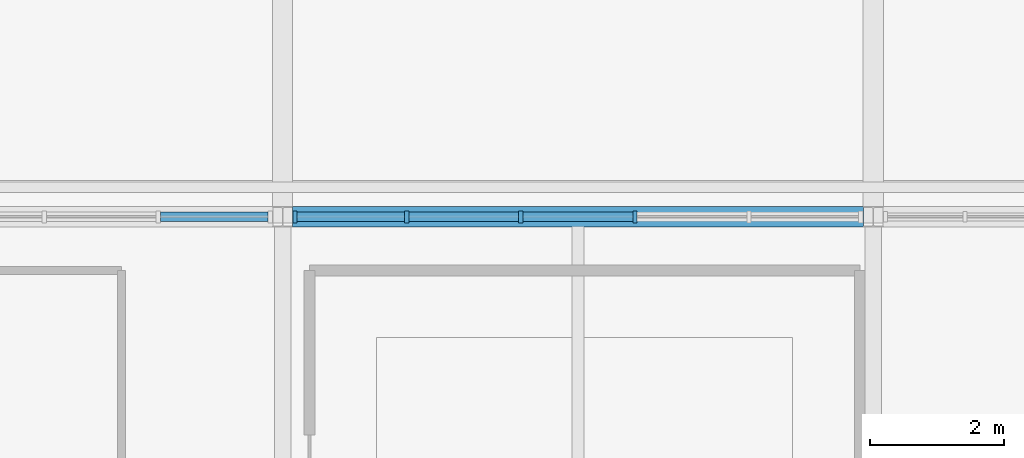
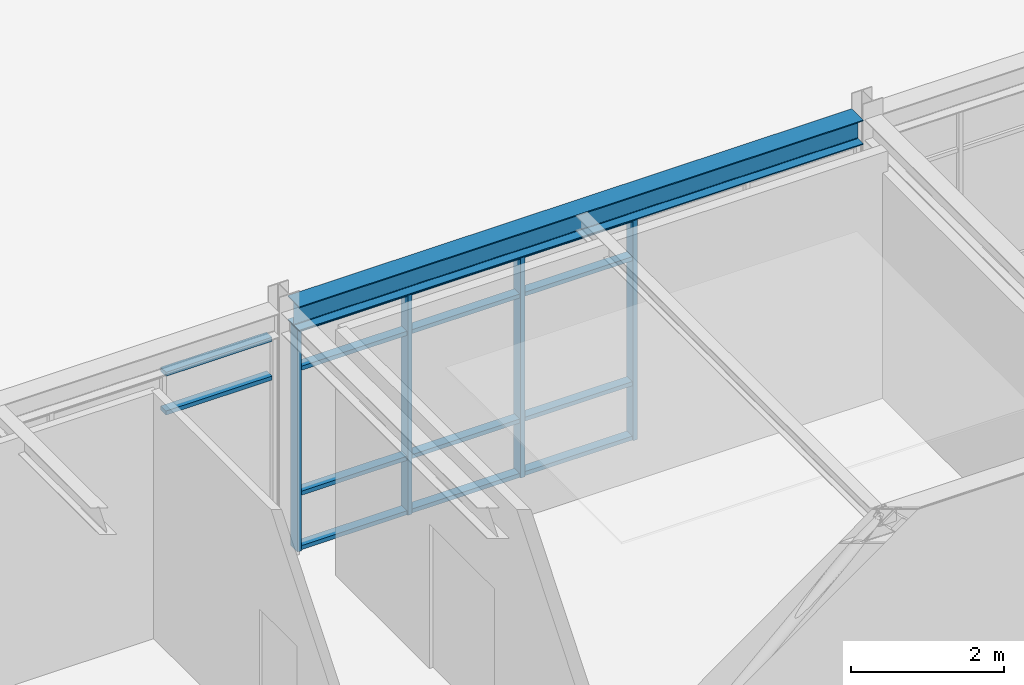
# One storey, part 15 of 45: 18 members, 1 beam, 2 elements without a shape of their own.
"""IFC4 building model written with IfcOpenShell, lengths in metres."""

from ifc_helpers import new_model, si_unit, direction, frame, origin, origin_2d, place, context, subcontext, project, spatial, rectangle, i_section, extrude, material, material_profile, profile_set, type_object, element, aggregate, save


model = new_model("IFC4")

# Units and contexts
model_context = context("Model", 3, precision=1e-05, world=origin(), true_north=direction((0.0, 1.0)))
body_context = subcontext(model_context, "Body", "Model", "MODEL_VIEW")
ifc_project = project(units=[si_unit("LENGTHUNIT", "METRE"), si_unit("AREAUNIT", "SQUARE_METRE"), si_unit("VOLUMEUNIT", "CUBIC_METRE"), si_unit("PLANEANGLEUNIT", "RADIAN"), si_unit("MASSUNIT", "GRAM", prefix="KILO")], contexts=[model_context])

# Site, building, storey
site_placement = place(None, origin())
site = spatial("IfcSite", under=ifc_project, at=site_placement, CompositionType="ELEMENT")
building_placement = place(site_placement, origin())
building = spatial("IfcBuilding", under=site, at=building_placement, Name="Zhaolan Boulevard Law Courts", CompositionType="ELEMENT")
storey_placement = place(building_placement, frame((0.0, 0.0, 24.60009765625)))
storey = spatial("IfcBuildingStorey", under=building, at=storey_placement, Name="L05", CompositionType="ELEMENT", Elevation=24.60009765625)

# Curtain wall, members
ifc_material_1 = material(Name="Thermally broken aluminium and low-E glazing", Category="aluminium")
curtain_wall_type_1 = type_object("IfcCurtainWallType", Name="CURTAIN WALL M17", PredefinedType="USERDEFINED", material=ifc_material_1)
curtain_wall_1_placement = place(storey_placement, origin())
curtain_wall_1 = element("IfcCurtainWall", 1, at=curtain_wall_1_placement, inside=storey, type_object=curtain_wall_type_1, Name="Curtain Wall CW-L05-209", ObjectType="CURTAIN WALL", PredefinedType="USERDEFINED")
ifc_material_2 = material(Name="Fluorocarbon-coated aluminium 6063-T6", Category="aluminium")
ifc_material_profile_1 = material_profile(ifc_material_2, rectangle(XDim=0.179931640625, YDim=0.06494140625, at=origin_2d()), Name="AL65x180")
ifc_profile_set_1 = profile_set([ifc_material_profile_1], Name="Fluorocarbon-coated aluminium 6063-T6")
member_type_1 = type_object("IfcMemberType", Name="CWMULLION 65X180", PredefinedType="MULLION", material=ifc_profile_set_1)
member_1_placement = place(storey_placement, frame((22.849609375, 78.0, 0.0), z_axis=(0.0, 0.0, 1.0), x_axis=(0.0, -1.0, 0.0)))
member_1 = element("IfcMember", 2, at=member_1_placement, type_object=member_type_1, Name="CW-L05-209 mullion 3", PredefinedType="MULLION", context=body_context, shape_type="SweptSolid", body=[
    extrude(rectangle(XDim=0.179931640625, YDim=0.06494140625, at=origin_2d()), origin(), (0.0, 0.0, 1.0), 3.54296875),
])
member_2_placement = place(storey_placement, frame((21.150390625, 78.0, 0.0), z_axis=(0.0, 0.0, 1.0), x_axis=(0.0, -1.0, 0.0)))
member_2 = element("IfcMember", 3, at=member_2_placement, type_object=member_type_1, Name="CW-L05-209 mullion 4", PredefinedType="MULLION", context=body_context, shape_type="SweptSolid", body=[
    extrude(rectangle(XDim=0.179931640625, YDim=0.06494140625, at=origin_2d()), origin(), (0.0, 0.0, 1.0), 3.54296875),
])
member_3_placement = place(storey_placement, frame((19.451171875, 78.0, 0.0), z_axis=(0.0, 0.0, 1.0), x_axis=(0.0, -1.0, 0.0)))
member_3 = element("IfcMember", 4, at=member_3_placement, type_object=member_type_1, Name="CW-L05-209 mullion 5", PredefinedType="MULLION", context=body_context, shape_type="SweptSolid", body=[
    extrude(rectangle(XDim=0.179931640625, YDim=0.06494140625, at=origin_2d()), origin(), (0.0, 0.0, 1.0), 3.54296875),
])
member_4_placement = place(storey_placement, frame((17.784423828125, 78.0, 0.0), z_axis=(0.0, 0.0, 1.0), x_axis=(0.0, -1.0, 0.0)))
member_4 = element("IfcMember", 5, at=member_4_placement, type_object=member_type_1, Name="CW-L05-209 mullion 6", PredefinedType="MULLION", context=body_context, shape_type="SweptSolid", body=[
    extrude(rectangle(XDim=0.179931640625, YDim=0.06494140625, at=origin_2d()), origin(), (0.0, 0.0, 1.0), 3.54296875),
])

ifc_material_3 = material(Name="Thermally broken aluminium and low-E glazing", Category="aluminium")
curtain_wall_type_2 = type_object("IfcCurtainWallType", Name="CURTAIN WALL M16", PredefinedType="USERDEFINED", material=ifc_material_3)
curtain_wall_2_placement = place(storey_placement, origin())
curtain_wall_2 = element("IfcCurtainWall", 6, at=curtain_wall_2_placement, inside=storey, type_object=curtain_wall_type_2, Name="Curtain Wall CW-L05-208", ObjectType="CURTAIN WALL", PredefinedType="USERDEFINED")
ifc_material_4 = material(Name="Fluorocarbon-coated aluminium 6063-T6", Category="aluminium")
ifc_material_profile_2 = material_profile(ifc_material_4, rectangle(XDim=0.139892578125, YDim=0.06494140625, at=origin_2d()), Name="AL65x140")
ifc_profile_set_2 = profile_set([ifc_material_profile_2], Name="Fluorocarbon-coated aluminium 6063-T6")
member_type_2 = type_object("IfcMemberType", Name="CWTRANSOM 65X140", PredefinedType="USERDEFINED", material=ifc_profile_set_2)
member_5_placement = place(storey_placement, frame((17.383056640625, 78.0, 2.892822265625), z_axis=(-1.0, 0.0, 0.0), x_axis=(0.0, -1.0, 0.0)))
member_5 = element("IfcMember", 7, at=member_5_placement, type_object=member_type_2, Name="CW-L05-208 transom 1.3", ObjectType="TRANSOM", PredefinedType="USERDEFINED", context=body_context, shape_type="SweptSolid", body=[
    extrude(rectangle(XDim=0.139892578125, YDim=0.06494140625, at=origin_2d()), origin(), (0.0, 0.0, 1.0), 1.601806640625),
])
member_6_placement = place(storey_placement, frame((17.383056640625, 78.0, 3.510498046875), z_axis=(-1.0, 0.0, 0.0), x_axis=(0.0, -1.0, 0.0)))
member_6 = element("IfcMember", 8, at=member_6_placement, type_object=member_type_2, Name="CW-L05-208 transom 1.4", ObjectType="TRANSOM", PredefinedType="USERDEFINED", context=body_context, shape_type="SweptSolid", body=[
    extrude(rectangle(XDim=0.139892578125, YDim=0.06494140625, at=origin_2d()), origin(), (0.0, 0.0, 1.0), 1.601806640625),
])
aggregate(curtain_wall_2, [member_5, member_6])

# Member
member_7_placement = place(storey_placement, frame((22.817138671875, 78.0, 0.032470703125), z_axis=(-1.0, 0.0, 0.0), x_axis=(0.0, -1.0, 0.0)))
member_7 = element("IfcMember", 9, at=member_7_placement, type_object=member_type_2, Name="CW-L05-209 transom 3.1", ObjectType="TRANSOM", PredefinedType="USERDEFINED", context=body_context, shape_type="SweptSolid", body=[
    extrude(rectangle(XDim=0.139892578125, YDim=0.06494140625, at=origin_2d()), origin(), (0.0, 0.0, 1.0), 1.63427734375),
])

member_8_placement = place(storey_placement, frame((22.817138671875, 78.0, 0.89990234375), z_axis=(-1.0, 0.0, 0.0), x_axis=(0.0, -1.0, 0.0)))
member_8 = element("IfcMember", 10, at=member_8_placement, type_object=member_type_2, Name="CW-L05-209 transom 3.2", ObjectType="TRANSOM", PredefinedType="USERDEFINED", context=body_context, shape_type="SweptSolid", body=[
    extrude(rectangle(XDim=0.139892578125, YDim=0.06494140625, at=origin_2d()), origin(), (0.0, 0.0, 1.0), 1.63427734375),
])

member_9_placement = place(storey_placement, frame((22.817138671875, 78.0, 2.892822265625), z_axis=(-1.0, 0.0, 0.0), x_axis=(0.0, -1.0, 0.0)))
member_9 = element("IfcMember", 11, at=member_9_placement, type_object=member_type_2, Name="CW-L05-209 transom 3.3", ObjectType="TRANSOM", PredefinedType="USERDEFINED", context=body_context, shape_type="SweptSolid", body=[
    extrude(rectangle(XDim=0.139892578125, YDim=0.06494140625, at=origin_2d()), origin(), (0.0, 0.0, 1.0), 1.63427734375),
])

member_10_placement = place(storey_placement, frame((22.817138671875, 78.0, 3.510498046875), z_axis=(-1.0, 0.0, 0.0), x_axis=(0.0, -1.0, 0.0)))
member_10 = element("IfcMember", 12, at=member_10_placement, type_object=member_type_2, Name="CW-L05-209 transom 3.4", ObjectType="TRANSOM", PredefinedType="USERDEFINED", context=body_context, shape_type="SweptSolid", body=[
    extrude(rectangle(XDim=0.139892578125, YDim=0.06494140625, at=origin_2d()), origin(), (0.0, 0.0, 1.0), 1.63427734375),
])

member_11_placement = place(storey_placement, frame((21.117919921875, 78.0, 0.032470703125), z_axis=(-1.0, 0.0, 0.0), x_axis=(0.0, -1.0, 0.0)))
member_11 = element("IfcMember", 13, at=member_11_placement, type_object=member_type_2, Name="CW-L05-209 transom 4.1", ObjectType="TRANSOM", PredefinedType="USERDEFINED", context=body_context, shape_type="SweptSolid", body=[
    extrude(rectangle(XDim=0.139892578125, YDim=0.06494140625, at=origin_2d()), origin(), (0.0, 0.0, 1.0), 1.63427734375),
])

member_12_placement = place(storey_placement, frame((21.117919921875, 78.0, 0.89990234375), z_axis=(-1.0, 0.0, 0.0), x_axis=(0.0, -1.0, 0.0)))
member_12 = element("IfcMember", 14, at=member_12_placement, type_object=member_type_2, Name="CW-L05-209 transom 4.2", ObjectType="TRANSOM", PredefinedType="USERDEFINED", context=body_context, shape_type="SweptSolid", body=[
    extrude(rectangle(XDim=0.139892578125, YDim=0.06494140625, at=origin_2d()), origin(), (0.0, 0.0, 1.0), 1.63427734375),
])

member_13_placement = place(storey_placement, frame((21.117919921875, 78.0, 2.892822265625), z_axis=(-1.0, 0.0, 0.0), x_axis=(0.0, -1.0, 0.0)))
member_13 = element("IfcMember", 15, at=member_13_placement, type_object=member_type_2, Name="CW-L05-209 transom 4.3", ObjectType="TRANSOM", PredefinedType="USERDEFINED", context=body_context, shape_type="SweptSolid", body=[
    extrude(rectangle(XDim=0.139892578125, YDim=0.06494140625, at=origin_2d()), origin(), (0.0, 0.0, 1.0), 1.63427734375),
])

member_14_placement = place(storey_placement, frame((21.117919921875, 78.0, 3.510498046875), z_axis=(-1.0, 0.0, 0.0), x_axis=(0.0, -1.0, 0.0)))
member_14 = element("IfcMember", 16, at=member_14_placement, type_object=member_type_2, Name="CW-L05-209 transom 4.4", ObjectType="TRANSOM", PredefinedType="USERDEFINED", context=body_context, shape_type="SweptSolid", body=[
    extrude(rectangle(XDim=0.139892578125, YDim=0.06494140625, at=origin_2d()), origin(), (0.0, 0.0, 1.0), 1.63427734375),
])

member_15_placement = place(storey_placement, frame((19.418701171875, 78.0, 0.032470703125), z_axis=(-1.0, 0.0, 0.0), x_axis=(0.0, -1.0, 0.0)))
member_15 = element("IfcMember", 17, at=member_15_placement, type_object=member_type_2, Name="CW-L05-209 transom 5.1", ObjectType="TRANSOM", PredefinedType="USERDEFINED", context=body_context, shape_type="SweptSolid", body=[
    extrude(rectangle(XDim=0.139892578125, YDim=0.06494140625, at=origin_2d()), origin(), (0.0, 0.0, 1.0), 1.601806640625),
])

member_16_placement = place(storey_placement, frame((19.418701171875, 78.0, 0.89990234375), z_axis=(-1.0, 0.0, 0.0), x_axis=(0.0, -1.0, 0.0)))
member_16 = element("IfcMember", 18, at=member_16_placement, type_object=member_type_2, Name="CW-L05-209 transom 5.2", ObjectType="TRANSOM", PredefinedType="USERDEFINED", context=body_context, shape_type="SweptSolid", body=[
    extrude(rectangle(XDim=0.139892578125, YDim=0.06494140625, at=origin_2d()), origin(), (0.0, 0.0, 1.0), 1.601806640625),
])

member_17_placement = place(storey_placement, frame((19.418701171875, 78.0, 2.892822265625), z_axis=(-1.0, 0.0, 0.0), x_axis=(0.0, -1.0, 0.0)))
member_17 = element("IfcMember", 19, at=member_17_placement, type_object=member_type_2, Name="CW-L05-209 transom 5.3", ObjectType="TRANSOM", PredefinedType="USERDEFINED", context=body_context, shape_type="SweptSolid", body=[
    extrude(rectangle(XDim=0.139892578125, YDim=0.06494140625, at=origin_2d()), origin(), (0.0, 0.0, 1.0), 1.601806640625),
])

member_18_placement = place(storey_placement, frame((19.418701171875, 78.0, 3.510498046875), z_axis=(-1.0, 0.0, 0.0), x_axis=(0.0, -1.0, 0.0)))
member_18 = element("IfcMember", 20, at=member_18_placement, type_object=member_type_2, Name="CW-L05-209 transom 5.4", ObjectType="TRANSOM", PredefinedType="USERDEFINED", context=body_context, shape_type="SweptSolid", body=[
    extrude(rectangle(XDim=0.139892578125, YDim=0.06494140625, at=origin_2d()), origin(), (0.0, 0.0, 1.0), 1.601806640625),
])

aggregate(curtain_wall_1, [member_1, member_2, member_3, member_4, member_7, member_8, member_9, member_10, member_11, member_12, member_13, member_14, member_15, member_16, member_17, member_18])

# Beam
ifc_material_5 = material(Name="Structural steel Q355B", Category="steel")
ifc_material_profile_3 = material_profile(ifc_material_5, i_section(OverallWidth=0.300048828125, OverallDepth=0.389892578125, WebThickness=0.010009765625, FlangeThickness=0.01611328125, FilletRadius=0.01806640625, at=origin_2d()), Name="HM390x300")
ifc_profile_set_3 = profile_set([ifc_material_profile_3], Name="Structural steel Q355B")
beam_type = type_object("IfcBeamType", Name="GIRDER HM390", PredefinedType="BEAM", material=ifc_profile_set_3)
beam_placement = place(storey_placement, frame((17.74609375, 78.0, 3.7529296875), z_axis=(1.0, 0.0, 0.0), x_axis=(0.0, 1.0, 0.0)))
element("IfcBeam", 21, at=beam_placement, inside=storey, type_object=beam_type, Name="Beam BX-L06-3-4-L", PredefinedType="BEAM", context=body_context, shape_type="SweptSolid", body=[
    extrude(i_section(OverallWidth=0.300048828125, OverallDepth=0.389892578125, WebThickness=0.010009765625, FlangeThickness=0.01611328125, FilletRadius=0.01806640625, at=origin_2d()), origin(), (0.0, 0.0, 1.0), 8.5078125),
])

save(model, "model.ifc")
